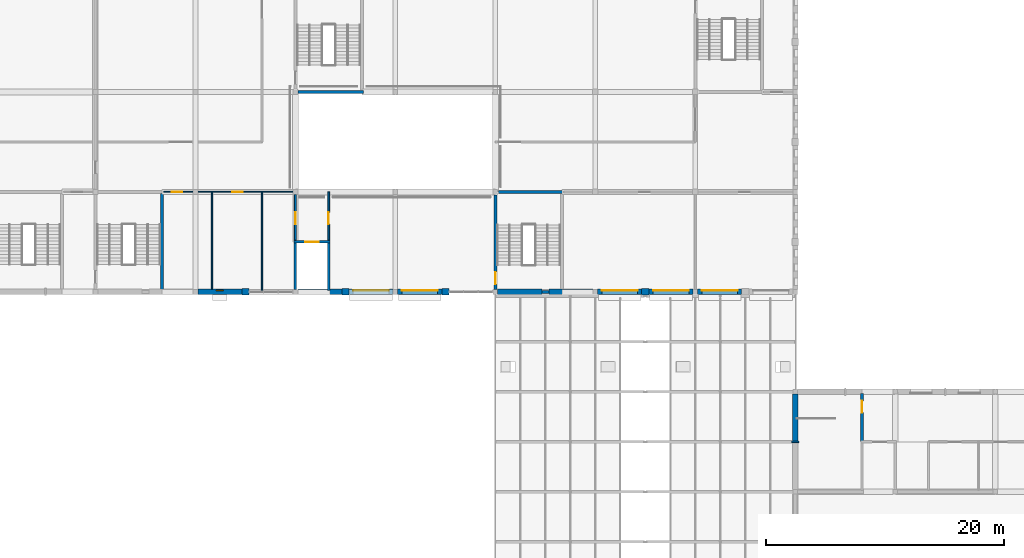
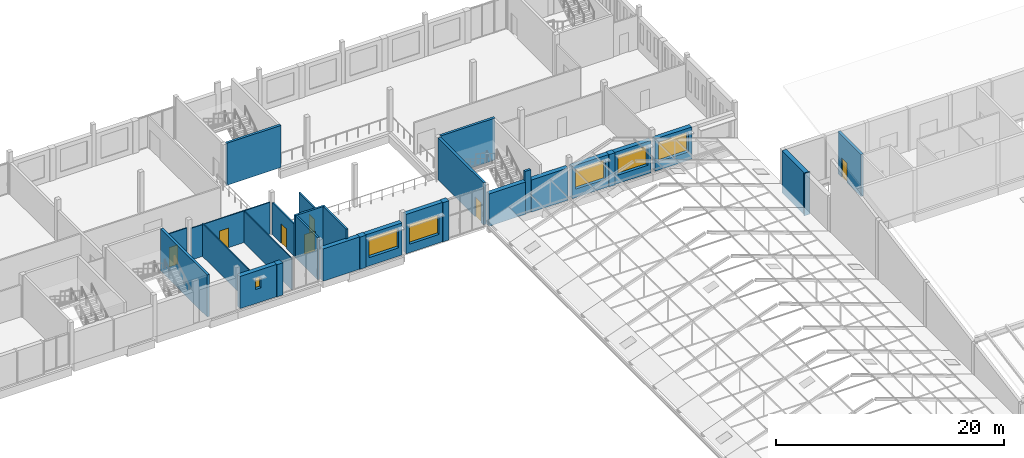
# One storey, part 100 of 116: 30 walls, 7 doors, 6 windows, 13 openings.
"""IFC4 building model written with IfcOpenShell, lengths in metres."""

from ifc_helpers import new_model, si_unit, direction, frame, frame_2d, origin, place, context, subcontext, project, spatial, rectangle, extrude, material, layer, layer_set, type_object, element, fill, save


model = new_model("IFC4")

# Units and contexts
model_context = context("Model", 3, precision=1e-05, world=origin(), true_north=direction((0.0, 1.0)))
body_context = subcontext(model_context, "Body", "Model", "MODEL_VIEW")
ifc_project = project(units=[si_unit("LENGTHUNIT", "METRE"), si_unit("AREAUNIT", "SQUARE_METRE"), si_unit("VOLUMEUNIT", "CUBIC_METRE"), si_unit("PLANEANGLEUNIT", "RADIAN"), si_unit("MASSUNIT", "GRAM", prefix="KILO")], contexts=[model_context])

# Site, building, storey
site_placement = place(None, origin())
site = spatial("IfcSite", under=ifc_project, at=site_placement, CompositionType="ELEMENT")
building_placement = place(site_placement, origin())
building = spatial("IfcBuilding", under=site, at=building_placement, Name="Fescue Hill Polytechnic", CompositionType="ELEMENT")
storey_placement = place(building_placement, frame((0.0, 0.0, 13.5)))
storey = spatial("IfcBuildingStorey", under=building, at=storey_placement, Name="L03", CompositionType="ELEMENT", Elevation=13.5)

# Walls
ifc_material_1 = material(Name="Clay brick masonry", Category="masonry")
ifc_layer_1 = layer(ifc_material_1, 0.550048828125)
ifc_layer_set_1 = layer_set([ifc_layer_1], Name="Clay brick masonry")
wall_type_1 = type_object("IfcWallType", Name="Brick pier 600x550", PredefinedType="SOLIDWALL", material=ifc_layer_set_1)
wall_1_placement = place(storey_placement, frame((71.10009765625, 109.199951171875, 0.0), z_axis=(0.0, 0.0, 1.0), x_axis=(1.0, 0.0, 0.0)))
element("IfcWall", 1, at=wall_1_placement, inside=storey, type_object=wall_type_1, Name="PR-L03-V4b-2", PredefinedType="SOLIDWALL", context=body_context, shape_type="SweptSolid", body=[
    extrude(rectangle(XDim=0.599853515625, YDim=0.550048828125, at=frame_2d((0.2998046875, 0.0))), origin(), (0.0, 0.0, 1.0), 3.449951171875),
])
wall_2_placement = place(storey_placement, frame((79.5, 109.199951171875, 0.0), z_axis=(0.0, 0.0, 1.0), x_axis=(1.0, 0.0, 0.0)))
element("IfcWall", 2, at=wall_2_placement, inside=storey, type_object=wall_type_1, Name="PR-L03-V4b-3", PredefinedType="SOLIDWALL", context=body_context, shape_type="SweptSolid", body=[
    extrude(rectangle(XDim=0.60009765625, YDim=0.550048828125, at=frame_2d((0.300048828125, 0.0))), origin(), (0.0, 0.0, 1.0), 3.449951171875),
])
wall_3_placement = place(storey_placement, frame((87.89990234375, 109.199951171875, 0.0), z_axis=(0.0, 0.0, 1.0), x_axis=(1.0, 0.0, 0.0)))
element("IfcWall", 3, at=wall_3_placement, inside=storey, type_object=wall_type_1, Name="PR-L03-V4b-4", PredefinedType="SOLIDWALL", context=body_context, shape_type="SweptSolid", body=[
    extrude(rectangle(XDim=0.60009765625, YDim=0.550048828125, at=frame_2d((0.300048828125, 0.0))), origin(), (0.0, 0.0, 1.0), 4.199951171875),
])
wall_4_placement = place(storey_placement, frame((104.699951171875, 109.199951171875, 0.0), z_axis=(0.0, 0.0, 1.0), x_axis=(1.0, 0.0, 0.0)))
element("IfcWall", 4, at=wall_4_placement, inside=storey, type_object=wall_type_1, Name="PR-L03-V4b-6", PredefinedType="SOLIDWALL", context=body_context, shape_type="SweptSolid", body=[
    extrude(rectangle(XDim=0.60009765625, YDim=0.550048828125, at=frame_2d((0.300048828125, 0.0))), origin(), (0.0, 0.0, 1.0), 3.449951171875),
])

# Wall, opening, door
ifc_material_2 = material(Name="Concrete 40 MPa", Category="concrete")
ifc_layer_2 = layer(ifc_material_2, 0.25)
ifc_layer_set_2 = layer_set([ifc_layer_2], Name="Concrete 40 MPa")
wall_type_2 = type_object("IfcWallType", Name="Core wall 250", PredefinedType="SHEAR", material=ifc_layer_set_2)
wall_5_placement = place(storey_placement, frame((123.199951171875, 96.610107421875, 0.0), z_axis=(0.0, 0.0, 1.0), x_axis=(0.0, 1.0, 0.0)))
wall_5 = element("IfcWall", 5, at=wall_5_placement, inside=storey, type_object=wall_type_2, Name="CW-L03-ST-V2-1-41", PredefinedType="SHEAR", context=body_context, shape_type="SweptSolid", body=[
    extrude(rectangle(XDim=4.06494140625, YDim=0.25, at=frame_2d((2.032470703125, 0.0))), origin(), (0.0, 0.0, 1.0), 4.5),
])
opening_1_placement = place(wall_5_placement, frame((2.43994140625, 0.0, 0.0)))
opening_1 = element("IfcOpeningElement", 6, at=opening_1_placement, cuts=wall_5, Name="Opening D3036", PredefinedType="OPENING", context=body_context, shape_type="SweptSolid", body=[
    extrude(rectangle(XDim=1.0, YDim=2.10009765625, at=frame_2d((0.5, 1.050048828125))), frame((0.0, 0.135009765625, 0.0), z_axis=(0.0, -1.0, 0.0), x_axis=(1.0, 0.0, 0.0)), (0.0, 0.0, 1.0), 0.27001953125),
])
ifc_material_3 = material(Name="Steel fire door", Category="steel")
door_type_1 = type_object("IfcDoorType", Name="Door single swing 1000x2100 stair fire rated", OperationType="NOTDEFINED", PredefinedType="DOOR", material=ifc_material_3)
door_1_placement = place(opening_1_placement, origin())
door_1 = element("IfcDoor", 7, at=door_1_placement, inside=storey, type_object=door_type_1, Name="L03 ST-V2-1 stair door", OperationType="SINGLE_SWING_RIGHT", OverallHeight=2.10009765625, OverallWidth=1.0, PredefinedType="DOOR", context=body_context, shape_type="SweptSolid", body=[
    extrude(rectangle(XDim=1.0, YDim=2.10009765625, at=frame_2d((0.5, 1.050048828125))), frame((0.0, 0.02490234375, 0.0), z_axis=(0.0, -1.0, 0.0), x_axis=(1.0, 0.0, 0.0)), (0.0, 0.0, 1.0), 0.050048828125),
])
fill(opening_1, door_1)

# Walls
wall_6_placement = place(storey_placement, frame((64.39990234375, 109.324951171875, 0.0), z_axis=(0.0, 0.0, 1.0), x_axis=(0.0, 1.0, 0.0)))
element("IfcWall", 8, at=wall_6_placement, inside=storey, type_object=wall_type_2, Name="CW-L03-ST-V4b-1-41", PredefinedType="SHEAR", context=body_context, shape_type="SweptSolid", body=[
    extrude(rectangle(XDim=8.150146484375, YDim=0.25, at=frame_2d((4.0751953125, 0.0))), origin(), (0.0, 0.0, 1.0), 4.5),
])
wall_7_placement = place(storey_placement, frame((92.64990234375, 117.60009765625, 0.0), z_axis=(0.0, 0.0, 1.0), x_axis=(1.0, 0.0, 0.0)))
element("IfcWall", 9, at=wall_7_placement, inside=storey, type_object=wall_type_2, Name="CW-L03-ST-V4b-3-21", PredefinedType="SHEAR", context=body_context, shape_type="SweptSolid", body=[
    extrude(rectangle(XDim=5.47509765625, YDim=0.25, at=frame_2d((2.737548828125, 0.0))), origin(), (0.0, 0.0, 1.0), 4.5),
])

# Wall, opening, door
wall_8_placement = place(storey_placement, frame((92.39990234375, 109.39990234375, 0.0), z_axis=(0.0, 0.0, 1.0), x_axis=(0.0, 1.0, 0.0)))
wall_8 = element("IfcWall", 10, at=wall_8_placement, inside=storey, type_object=wall_type_2, Name="CW-L03-ST-V4b-3-31", PredefinedType="SHEAR", context=body_context, shape_type="SweptSolid", body=[
    extrude(rectangle(XDim=7.9501953125, YDim=0.25, at=frame_2d((3.97509765625, 0.0))), origin(), (0.0, 0.0, 1.0), 4.5),
])
opening_2_placement = place(wall_8_placement, frame((0.449951171875, 0.0, 0.0)))
opening_2 = element("IfcOpeningElement", 11, at=opening_2_placement, cuts=wall_8, Name="Opening D3047", PredefinedType="OPENING", context=body_context, shape_type="SweptSolid", body=[
    extrude(rectangle(XDim=1.0, YDim=2.10009765625, at=frame_2d((0.5, 1.050048828125))), frame((0.0, 0.135009765625, 0.0), z_axis=(0.0, -1.0, 0.0), x_axis=(1.0, 0.0, 0.0)), (0.0, 0.0, 1.0), 0.27001953125),
])
door_2_placement = place(opening_2_placement, origin())
door_2 = element("IfcDoor", 12, at=door_2_placement, inside=storey, type_object=door_type_1, Name="L03 ST-V4b-3 stair door", OperationType="SINGLE_SWING_RIGHT", OverallHeight=2.10009765625, OverallWidth=1.0, PredefinedType="DOOR", context=body_context, shape_type="SweptSolid", body=[
    extrude(rectangle(XDim=1.0, YDim=2.10009765625, at=frame_2d((0.5, 1.050048828125))), frame((0.0, 0.02490234375, 0.0), z_axis=(0.0, -1.0, 0.0), x_axis=(1.0, 0.0, 0.0)), (0.0, 0.0, 1.0), 0.050048828125),
])
fill(opening_2, door_2)

# Walls
wall_9_placement = place(storey_placement, frame((75.824951171875, 126.0, 0.0), z_axis=(0.0, 0.0, 1.0), x_axis=(1.0, 0.0, 0.0)))
element("IfcWall", 13, at=wall_9_placement, inside=storey, type_object=wall_type_2, Name="CW-L03-ST-V4b-4-11", PredefinedType="SHEAR", context=body_context, shape_type="SweptSolid", body=[
    extrude(rectangle(XDim=5.5, YDim=0.25, at=frame_2d((2.75, 0.0))), origin(), (0.0, 0.0, 1.0), 4.5),
])
wall_10_placement = place(storey_placement, frame((96.300048828125, 109.199951171875, 0.0), z_axis=(0.0, 0.0, 1.0), x_axis=(1.0, 0.0, 0.0)))
element("IfcWall", 14, at=wall_10_placement, inside=storey, type_object=wall_type_2, Name="SCW-L03-ST-V4b-3-s1", PredefinedType="SHEAR", context=body_context, shape_type="SweptSolid", body=[
    extrude(rectangle(XDim=0.599853515625, YDim=0.25, at=frame_2d((0.2998046875, 0.0))), origin(), (0.0, 0.0, 1.0), 4.5),
])

# Wall, opening, window
ifc_layer_3 = layer(ifc_material_2, 0.449951171875)
ifc_layer_set_3 = layer_set([ifc_layer_3], Name="Concrete 40 MPa")
wall_type_3 = type_object("IfcWallType", Name="Exterior wall board-marked concrete 450", PredefinedType="SOLIDWALL", material=ifc_layer_set_3)
wall_11_placement = place(storey_placement, frame((67.39990234375, 109.199951171875, 0.0), z_axis=(0.0, 0.0, 1.0), x_axis=(1.0, 0.0, 0.0)))
wall_11 = element("IfcWall", 15, at=wall_11_placement, inside=storey, type_object=wall_type_3, Name="EW-L03-V4b-3", PredefinedType="SOLIDWALL", context=body_context, shape_type="SweptSolid", body=[
    extrude(rectangle(XDim=3.7001953125, YDim=0.449951171875, at=frame_2d((1.85009765625, 0.0))), origin(), (0.0, 0.0, 1.0), 3.449951171875),
])
opening_3_placement = place(wall_11_placement, frame((1.550048828125, 0.0, 1.5)))
opening_3 = element("IfcOpeningElement", 16, at=opening_3_placement, cuts=wall_11, Name="Opening W11", PredefinedType="OPENING", context=body_context, shape_type="SweptSolid", body=[
    extrude(rectangle(XDim=0.60009765625, YDim=1.199951171875, at=frame_2d((0.300048828125, 0.60009765625))), frame((0.0, 0.23486328125, 0.0), z_axis=(0.0, -1.0, 0.0), x_axis=(1.0, 0.0, 0.0)), (0.0, 0.0, 1.0), 0.469970703125),
])
ifc_material_4 = material(Name="Powder-coated aluminium and glass", Category="aluminium")
window_type_1 = type_object("IfcWindowType", Name="Window WC high-level 600x1200", PartitioningType="SINGLE_PANEL", PredefinedType="WINDOW", material=ifc_material_4)
window_1_placement = place(opening_3_placement, origin())
window_1 = element("IfcWindow", 17, at=window_1_placement, inside=storey, type_object=window_type_1, Name="WN-L03-V4b-1", OverallHeight=1.199951171875, OverallWidth=0.60009765625, PartitioningType="SINGLE_PANEL", PredefinedType="WINDOW", context=body_context, shape_type="SweptSolid", body=[
    extrude(rectangle(XDim=0.60009765625, YDim=1.199951171875, at=frame_2d((0.300048828125, 0.60009765625))), frame((0.0, 0.135009765625, 0.0), z_axis=(0.0, -1.0, 0.0), x_axis=(1.0, 0.0, 0.0)), (0.0, 0.0, 1.0), 0.06005859375),
])
fill(opening_3, window_1)

# Wall
wall_12_placement = place(storey_placement, frame((75.800048828125, 109.199951171875, 0.0), z_axis=(0.0, 0.0, 1.0), x_axis=(1.0, 0.0, 0.0)))
element("IfcWall", 18, at=wall_12_placement, inside=storey, type_object=wall_type_3, Name="EW-L03-V4b-5", PredefinedType="SOLIDWALL", context=body_context, shape_type="SweptSolid", body=[
    extrude(rectangle(XDim=3.699951171875, YDim=0.449951171875, at=frame_2d((1.85009765625, 0.0))), origin(), (0.0, 0.0, 1.0), 3.449951171875),
])

# Wall, opening, window
wall_13_placement = place(storey_placement, frame((80.10009765625, 109.199951171875, 0.0), z_axis=(0.0, 0.0, 1.0), x_axis=(1.0, 0.0, 0.0)))
wall_13 = element("IfcWall", 19, at=wall_13_placement, inside=storey, type_object=wall_type_3, Name="EW-L03-V4b-6", PredefinedType="SOLIDWALL", context=body_context, shape_type="SweptSolid", body=[
    extrude(rectangle(XDim=3.699951171875, YDim=0.449951171875, at=frame_2d((1.85009765625, 0.0))), origin(), (0.0, 0.0, 1.0), 3.449951171875),
])
opening_4_placement = place(wall_13_placement, frame((0.35009765625, 0.0, 0.89990234375)))
opening_4 = element("IfcOpeningElement", 20, at=opening_4_placement, cuts=wall_13, Name="Opening W5", PredefinedType="OPENING", context=body_context, shape_type="SweptSolid", body=[
    extrude(rectangle(XDim=3.0, YDim=2.10009765625, at=frame_2d((1.5, 1.050048828125))), frame((0.0, 0.23486328125, 0.0), z_axis=(0.0, -1.0, 0.0), x_axis=(1.0, 0.0, 0.0)), (0.0, 0.0, 1.0), 0.469970703125),
])
window_type_2 = type_object("IfcWindowType", Name="Window studio large 3000x2100", PartitioningType="SINGLE_PANEL", PredefinedType="WINDOW", material=ifc_material_4)
window_2_placement = place(opening_4_placement, origin())
window_2 = element("IfcWindow", 21, at=window_2_placement, inside=storey, type_object=window_type_2, Name="WN-L03-V4b-2", OverallHeight=2.10009765625, OverallWidth=3.0, PartitioningType="SINGLE_PANEL", PredefinedType="WINDOW", context=body_context, shape_type="SweptSolid", body=[
    extrude(rectangle(XDim=3.0, YDim=2.10009765625, at=frame_2d((1.5, 1.050048828125))), frame((0.0, 0.135009765625, 0.0), z_axis=(0.0, -1.0, 0.0), x_axis=(1.0, 0.0, 0.0)), (0.0, 0.0, 1.0), 0.06005859375),
])
fill(opening_4, window_2)

wall_14_placement = place(storey_placement, frame((84.199951171875, 109.199951171875, 0.0), z_axis=(0.0, 0.0, 1.0), x_axis=(1.0, 0.0, 0.0)))
wall_14 = element("IfcWall", 22, at=wall_14_placement, inside=storey, type_object=wall_type_3, Name="EW-L03-V4b-7", PredefinedType="SOLIDWALL", context=body_context, shape_type="SweptSolid", body=[
    extrude(rectangle(XDim=3.699951171875, YDim=0.449951171875, at=frame_2d((1.85009765625, 0.0))), origin(), (0.0, 0.0, 1.0), 4.199951171875),
])
opening_5_placement = place(wall_14_placement, frame((0.35009765625, 0.0, 0.89990234375)))
opening_5 = element("IfcOpeningElement", 23, at=opening_5_placement, cuts=wall_14, Name="Opening W5", PredefinedType="OPENING", context=body_context, shape_type="SweptSolid", body=[
    extrude(rectangle(XDim=3.0, YDim=2.10009765625, at=frame_2d((1.5, 1.050048828125))), frame((0.0, 0.23486328125, 0.0), z_axis=(0.0, -1.0, 0.0), x_axis=(1.0, 0.0, 0.0)), (0.0, 0.0, 1.0), 0.469970703125),
])
window_3_placement = place(opening_5_placement, origin())
window_3 = element("IfcWindow", 24, at=window_3_placement, inside=storey, type_object=window_type_2, Name="WN-L03-V4b-3", OverallHeight=2.10009765625, OverallWidth=3.0, PartitioningType="SINGLE_PANEL", PredefinedType="WINDOW", context=body_context, shape_type="SweptSolid", body=[
    extrude(rectangle(XDim=3.0, YDim=2.10009765625, at=frame_2d((1.5, 1.050048828125))), frame((0.0, 0.135009765625, 0.0), z_axis=(0.0, -1.0, 0.0), x_axis=(1.0, 0.0, 0.0)), (0.0, 0.0, 1.0), 0.06005859375),
])
fill(opening_5, window_3)

wall_15_placement = place(storey_placement, frame((101.0, 109.199951171875, 0.0), z_axis=(0.0, 0.0, 1.0), x_axis=(1.0, 0.0, 0.0)))
wall_15 = element("IfcWall", 25, at=wall_15_placement, inside=storey, type_object=wall_type_3, Name="EW-L03-V4b-11", PredefinedType="SOLIDWALL", context=body_context, shape_type="SweptSolid", body=[
    extrude(rectangle(XDim=3.699951171875, YDim=0.449951171875, at=frame_2d((1.85009765625, 0.0))), origin(), (0.0, 0.0, 1.0), 3.449951171875),
])
opening_6_placement = place(wall_15_placement, frame((0.35009765625, 0.0, 0.89990234375)))
opening_6 = element("IfcOpeningElement", 26, at=opening_6_placement, cuts=wall_15, Name="Opening W5", PredefinedType="OPENING", context=body_context, shape_type="SweptSolid", body=[
    extrude(rectangle(XDim=3.0, YDim=2.10009765625, at=frame_2d((1.5, 1.050048828125))), frame((0.0, 0.23486328125, 0.0), z_axis=(0.0, -1.0, 0.0), x_axis=(1.0, 0.0, 0.0)), (0.0, 0.0, 1.0), 0.469970703125),
])
window_4_placement = place(opening_6_placement, origin())
window_4 = element("IfcWindow", 27, at=window_4_placement, inside=storey, type_object=window_type_2, Name="WN-L03-V4b-4", OverallHeight=2.10009765625, OverallWidth=3.0, PartitioningType="SINGLE_PANEL", PredefinedType="WINDOW", context=body_context, shape_type="SweptSolid", body=[
    extrude(rectangle(XDim=3.0, YDim=2.10009765625, at=frame_2d((1.5, 1.050048828125))), frame((0.0, 0.135009765625, 0.0), z_axis=(0.0, -1.0, 0.0), x_axis=(1.0, 0.0, 0.0)), (0.0, 0.0, 1.0), 0.06005859375),
])
fill(opening_6, window_4)

wall_16_placement = place(storey_placement, frame((105.300048828125, 109.199951171875, 0.0), z_axis=(0.0, 0.0, 1.0), x_axis=(1.0, 0.0, 0.0)))
wall_16 = element("IfcWall", 28, at=wall_16_placement, inside=storey, type_object=wall_type_3, Name="EW-L03-V4b-12", PredefinedType="SOLIDWALL", context=body_context, shape_type="SweptSolid", body=[
    extrude(rectangle(XDim=3.699951171875, YDim=0.449951171875, at=frame_2d((1.85009765625, 0.0))), origin(), (0.0, 0.0, 1.0), 3.449951171875),
])
opening_7_placement = place(wall_16_placement, frame((0.35009765625, 0.0, 0.89990234375)))
opening_7 = element("IfcOpeningElement", 29, at=opening_7_placement, cuts=wall_16, Name="Opening W5", PredefinedType="OPENING", context=body_context, shape_type="SweptSolid", body=[
    extrude(rectangle(XDim=3.0, YDim=2.10009765625, at=frame_2d((1.5, 1.050048828125))), frame((0.0, 0.23486328125, 0.0), z_axis=(0.0, -1.0, 0.0), x_axis=(1.0, 0.0, 0.0)), (0.0, 0.0, 1.0), 0.469970703125),
])
window_5_placement = place(opening_7_placement, origin())
window_5 = element("IfcWindow", 30, at=window_5_placement, inside=storey, type_object=window_type_2, Name="WN-L03-V4b-5", OverallHeight=2.10009765625, OverallWidth=3.0, PartitioningType="SINGLE_PANEL", PredefinedType="WINDOW", context=body_context, shape_type="SweptSolid", body=[
    extrude(rectangle(XDim=3.0, YDim=2.10009765625, at=frame_2d((1.5, 1.050048828125))), frame((0.0, 0.135009765625, 0.0), z_axis=(0.0, -1.0, 0.0), x_axis=(1.0, 0.0, 0.0)), (0.0, 0.0, 1.0), 0.06005859375),
])
fill(opening_7, window_5)

wall_17_placement = place(storey_placement, frame((109.39990234375, 109.199951171875, 0.0), z_axis=(0.0, 0.0, 1.0), x_axis=(1.0, 0.0, 0.0)))
wall_17 = element("IfcWall", 31, at=wall_17_placement, inside=storey, type_object=wall_type_3, Name="EW-L03-V4b-13", PredefinedType="SOLIDWALL", context=body_context, shape_type="SweptSolid", body=[
    extrude(rectangle(XDim=3.7001953125, YDim=0.449951171875, at=frame_2d((1.85009765625, 0.0))), origin(), (0.0, 0.0, 1.0), 3.449951171875),
])
opening_8_placement = place(wall_17_placement, frame((0.35009765625, 0.0, 0.89990234375)))
opening_8 = element("IfcOpeningElement", 32, at=opening_8_placement, cuts=wall_17, Name="Opening W5", PredefinedType="OPENING", context=body_context, shape_type="SweptSolid", body=[
    extrude(rectangle(XDim=3.0, YDim=2.10009765625, at=frame_2d((1.5, 1.050048828125))), frame((0.0, 0.23486328125, 0.0), z_axis=(0.0, -1.0, 0.0), x_axis=(1.0, 0.0, 0.0)), (0.0, 0.0, 1.0), 0.469970703125),
])
window_6_placement = place(opening_8_placement, origin())
window_6 = element("IfcWindow", 33, at=window_6_placement, inside=storey, type_object=window_type_2, Name="WN-L03-V4b-6", OverallHeight=2.10009765625, OverallWidth=3.0, PartitioningType="SINGLE_PANEL", PredefinedType="WINDOW", context=body_context, shape_type="SweptSolid", body=[
    extrude(rectangle(XDim=3.0, YDim=2.10009765625, at=frame_2d((1.5, 1.050048828125))), frame((0.0, 0.135009765625, 0.0), z_axis=(0.0, -1.0, 0.0), x_axis=(1.0, 0.0, 0.0)), (0.0, 0.0, 1.0), 0.06005859375),
])
fill(opening_8, window_6)

# Walls
ifc_layer_4 = layer(ifc_material_2, 0.449951171875)
ifc_layer_set_4 = layer_set([ifc_layer_4], Name="Concrete 40 MPa")
wall_type_4 = type_object("IfcWallType", Name="Exterior wall board-marked concrete 450 load-bearing", PredefinedType="SOLIDWALL", material=ifc_layer_set_4)
wall_18_placement = place(storey_placement, frame((117.60009765625, 100.60009765625, 0.0), z_axis=(0.0, 0.0, 1.0), x_axis=(0.0, -1.0, 0.0)))
element("IfcWall", 34, at=wall_18_placement, inside=storey, type_object=wall_type_4, Name="EW-L03-V2-9", PredefinedType="SOLIDWALL", context=body_context, shape_type="SweptSolid", body=[
    extrude(rectangle(XDim=3.940185546875, YDim=0.449951171875, at=frame_2d((1.97021484375, 0.0))), origin(), (0.0, 0.0, 1.0), 4.5),
])
wall_19_placement = place(storey_placement, frame((92.60009765625, 109.199951171875, 0.0), z_axis=(0.0, 0.0, 1.0), x_axis=(1.0, 0.0, 0.0)))
element("IfcWall", 35, at=wall_19_placement, inside=storey, type_object=wall_type_4, Name="EW-L03-V4b-9", PredefinedType="SOLIDWALL", context=body_context, shape_type="SweptSolid", body=[
    extrude(rectangle(XDim=3.699951171875, YDim=0.449951171875, at=frame_2d((1.85009765625, 0.0))), origin(), (0.0, 0.0, 1.0), 3.449951171875),
])
wall_20_placement = place(storey_placement, frame((96.89990234375, 109.199951171875, 0.0), z_axis=(0.0, 0.0, 1.0), x_axis=(1.0, 0.0, 0.0)))
element("IfcWall", 36, at=wall_20_placement, inside=storey, type_object=wall_type_4, Name="EW-L03-V4b-10", PredefinedType="SOLIDWALL", context=body_context, shape_type="SweptSolid", body=[
    extrude(rectangle(XDim=3.7001953125, YDim=0.449951171875, at=frame_2d((1.85009765625, 0.0))), origin(), (0.0, 0.0, 1.0), 3.449951171875),
])

# Wall, opening, door
ifc_layer_5 = layer(ifc_material_2, 0.199951171875)
ifc_layer_set_5 = layer_set([ifc_layer_5], Name="Concrete 40 MPa")
wall_type_5 = type_object("IfcWallType", Name="Lift shaft wall 200", PredefinedType="SHEAR", material=ifc_layer_set_5)
wall_21_placement = place(storey_placement, frame((75.5, 113.39990234375, 0.0), z_axis=(0.0, 0.0, 1.0), x_axis=(1.0, 0.0, 0.0)))
wall_21 = element("IfcWall", 37, at=wall_21_placement, inside=storey, type_object=wall_type_5, Name="CW-L03-LF-V4b-1-21", PredefinedType="SHEAR", context=body_context, shape_type="SweptSolid", body=[
    extrude(rectangle(XDim=3.0, YDim=0.199951171875, at=frame_2d((1.5, 0.0))), origin(), (0.0, 0.0, 1.0), 4.5),
])
opening_9_placement = place(wall_21_placement, frame((0.949951171875, 0.0, 0.0)))
opening_9 = element("IfcOpeningElement", 38, at=opening_9_placement, cuts=wall_21, Name="Opening LD8-L03", PredefinedType="OPENING", context=body_context, shape_type="SweptSolid", body=[
    extrude(rectangle(XDim=1.10009765625, YDim=2.10009765625, at=frame_2d((0.550048828125, 1.050048828125))), frame((0.0, 0.10986328125, 0.0), z_axis=(0.0, -1.0, 0.0), x_axis=(1.0, 0.0, 0.0)), (0.0, 0.0, 1.0), 0.219970703125),
])
ifc_material_5 = material(Name="Stainless steel", Category="steel")
door_type_2 = type_object("IfcDoorType", Name="Lift landing door sliding 1100x2100", OperationType="SLIDING_TO_LEFT", PredefinedType="DOOR", material=ifc_material_5)
door_3_placement = place(opening_9_placement, origin())
door_3 = element("IfcDoor", 39, at=door_3_placement, inside=storey, type_object=door_type_2, Name="L03 LF-V4b-1 lift landing door", OperationType="SLIDING_TO_RIGHT", OverallHeight=2.10009765625, OverallWidth=1.10009765625, PredefinedType="DOOR", context=body_context, shape_type="SweptSolid", body=[
    extrude(rectangle(XDim=1.10009765625, YDim=2.10009765625, at=frame_2d((0.550048828125, 1.050048828125))), frame((0.0, 0.02490234375, 0.0), z_axis=(0.0, -1.0, 0.0), x_axis=(1.0, 0.0, 0.0)), (0.0, 0.0, 1.0), 0.050048828125),
])
fill(opening_9, door_3)

# Walls
wall_22_placement = place(storey_placement, frame((75.60009765625, 109.39990234375, 0.0), z_axis=(0.0, 0.0, 1.0), x_axis=(0.0, 1.0, 0.0)))
element("IfcWall", 40, at=wall_22_placement, inside=storey, type_object=wall_type_5, Name="CW-L03-LF-V4b-1-31", PredefinedType="SHEAR", context=body_context, shape_type="SweptSolid", body=[
    extrude(rectangle(XDim=3.900146484375, YDim=0.199951171875, at=frame_2d((1.9501953125, 0.0))), origin(), (0.0, 0.0, 1.0), 4.5),
])
wall_23_placement = place(storey_placement, frame((78.39990234375, 109.300048828125, 0.0), z_axis=(0.0, 0.0, 1.0), x_axis=(0.0, 1.0, 0.0)))
element("IfcWall", 41, at=wall_23_placement, inside=storey, type_object=wall_type_5, Name="CW-L03-LF-V4b-1-41", PredefinedType="SHEAR", context=body_context, shape_type="SweptSolid", body=[
    extrude(rectangle(XDim=4.0, YDim=0.199951171875, at=frame_2d((2.0, 0.0))), origin(), (0.0, 0.0, 1.0), 4.5),
])

# Wall, opening, door
ifc_material_6 = material(Name="Gypsum board partition")
ifc_layer_6 = layer(ifc_material_6, 0.14990234375)
ifc_layer_set_6 = layer_set([ifc_layer_6], Name="Gypsum board partition")
wall_type_6 = type_object("IfcWallType", Name="Lobby wall 150 EI 60", PredefinedType="PARTITIONING", material=ifc_layer_set_6)
wall_24_placement = place(storey_placement, frame((75.60009765625, 113.550048828125, 0.0), z_axis=(0.0, 0.0, 1.0), x_axis=(0.0, 1.0, 0.0)))
wall_24 = element("IfcWall", 42, at=wall_24_placement, inside=storey, type_object=wall_type_6, Name="IW-L03-057", PredefinedType="PARTITIONING", context=body_context, shape_type="SweptSolid", body=[
    extrude(rectangle(XDim=3.849853515625, YDim=0.14990234375, at=frame_2d((1.9248046875, 0.0))), origin(), (0.0, 0.0, 1.0), 3.39990234375),
])
opening_10_placement = place(wall_24_placement, frame((1.35009765625, 0.0, 0.0)))
opening_10 = element("IfcOpeningElement", 43, at=opening_10_placement, cuts=wall_24, Name="Opening D3028", PredefinedType="OPENING", context=body_context, shape_type="SweptSolid", body=[
    extrude(rectangle(XDim=1.0, YDim=2.10009765625, at=frame_2d((0.5, 1.050048828125))), frame((0.0, 0.0849609375, 0.0), z_axis=(0.0, -1.0, 0.0), x_axis=(1.0, 0.0, 0.0)), (0.0, 0.0, 1.0), 0.169921875),
])
ifc_material_7 = material(Name="Steel", Category="steel")
door_type_3 = type_object("IfcDoorType", Name="Door single swing 1000x2100 FD60", OperationType="SINGLE_SWING_LEFT", PredefinedType="DOOR", material=ifc_material_7)
door_4_placement = place(opening_10_placement, origin())
door_4 = element("IfcDoor", 44, at=door_4_placement, inside=storey, type_object=door_type_3, Name="Door D3028", OperationType="SINGLE_SWING_LEFT", OverallHeight=2.10009765625, OverallWidth=1.0, PredefinedType="DOOR", context=body_context, shape_type="SweptSolid", body=[
    extrude(rectangle(XDim=1.0, YDim=2.10009765625, at=frame_2d((0.5, 1.050048828125))), frame((0.0, 0.02490234375, 0.0), z_axis=(0.0, -1.0, 0.0), x_axis=(1.0, 0.0, 0.0)), (0.0, 0.0, 1.0), 0.050048828125),
])
fill(opening_10, door_4)

wall_25_placement = place(storey_placement, frame((78.39990234375, 113.550048828125, 0.0), z_axis=(0.0, 0.0, 1.0), x_axis=(0.0, 1.0, 0.0)))
wall_25 = element("IfcWall", 45, at=wall_25_placement, inside=storey, type_object=wall_type_6, Name="IW-L03-058", PredefinedType="PARTITIONING", context=body_context, shape_type="SweptSolid", body=[
    extrude(rectangle(XDim=4.050048828125, YDim=0.14990234375, at=frame_2d((2.02490234375, 0.0))), origin(), (0.0, 0.0, 1.0), 3.39990234375),
])
opening_11_placement = place(wall_25_placement, frame((1.35009765625, 0.0, 0.0)))
opening_11 = element("IfcOpeningElement", 46, at=opening_11_placement, cuts=wall_25, Name="Opening D3029", PredefinedType="OPENING", context=body_context, shape_type="SweptSolid", body=[
    extrude(rectangle(XDim=1.0, YDim=2.10009765625, at=frame_2d((0.5, 1.050048828125))), frame((0.0, 0.0849609375, 0.0), z_axis=(0.0, -1.0, 0.0), x_axis=(1.0, 0.0, 0.0)), (0.0, 0.0, 1.0), 0.169921875),
])
door_5_placement = place(opening_11_placement, origin())
door_5 = element("IfcDoor", 47, at=door_5_placement, inside=storey, type_object=door_type_3, Name="Door D3029", OperationType="SINGLE_SWING_LEFT", OverallHeight=2.10009765625, OverallWidth=1.0, PredefinedType="DOOR", context=body_context, shape_type="SweptSolid", body=[
    extrude(rectangle(XDim=1.0, YDim=2.10009765625, at=frame_2d((0.5, 1.050048828125))), frame((0.0, 0.02490234375, 0.0), z_axis=(0.0, -1.0, 0.0), x_axis=(1.0, 0.0, 0.0)), (0.0, 0.0, 1.0), 0.050048828125),
])
fill(opening_11, door_5)

# Wall
ifc_material_8 = material(Name="Glulam 24f-EX", Category="wood")
ifc_layer_7 = layer(ifc_material_8, 0.60009765625)
ifc_layer_set_7 = layer_set([ifc_layer_7], Name="Glulam 24f-EX")
wall_type_7 = type_object("IfcWallType", Name="Timber fin 120x600", PredefinedType="SOLIDWALL", material=ifc_layer_set_7)
wall_26_placement = place(storey_placement, frame((117.60009765625, 96.659912109375, 0.0), z_axis=(0.0, 0.0, 1.0), x_axis=(0.0, -1.0, 0.0)))
element("IfcWall", 48, at=wall_26_placement, inside=storey, type_object=wall_type_7, Name="PR-L03-V2-5", PredefinedType="SOLIDWALL", context=body_context, shape_type="SweptSolid", body=[
    extrude(rectangle(XDim=0.119873046875, YDim=0.60009765625, at=frame_2d((0.06005859375, 0.0))), origin(), (0.0, 0.0, 1.0), 4.5),
])

# Wall, opening, door
ifc_layer_8 = layer(ifc_material_6, 0.10009765625)
ifc_layer_set_8 = layer_set([ifc_layer_8], Name="Gypsum board partition")
wall_type_8 = type_object("IfcWallType", Name="WC partition 100 moisture resistant", PredefinedType="PARTITIONING", material=ifc_layer_set_8)
wall_27_placement = place(storey_placement, frame((64.550048828125, 117.60009765625, 0.0), z_axis=(0.0, 0.0, 1.0), x_axis=(1.0, 0.0, 0.0)))
wall_27 = element("IfcWall", 49, at=wall_27_placement, inside=storey, type_object=wall_type_8, Name="IW-L03-029", PredefinedType="PARTITIONING", context=body_context, shape_type="SweptSolid", body=[
    extrude(rectangle(XDim=2.449951171875, YDim=0.10009765625, at=frame_2d((1.22509765625, 0.0))), origin(), (0.0, 0.0, 1.0), 3.60009765625),
])
opening_12_placement = place(wall_27_placement, frame((0.64990234375, 0.0, 0.0)))
opening_12 = element("IfcOpeningElement", 50, at=opening_12_placement, cuts=wall_27, Name="Opening D3026", PredefinedType="OPENING", context=body_context, shape_type="SweptSolid", body=[
    extrude(rectangle(XDim=0.89990234375, YDim=2.10009765625, at=frame_2d((0.449951171875, 1.050048828125))), frame((0.0, 0.06005859375, 0.0), z_axis=(0.0, -1.0, 0.0), x_axis=(1.0, 0.0, 0.0)), (0.0, 0.0, 1.0), 0.1201171875),
])
ifc_material_9 = material(Name="Timber", Category="wood")
door_type_4 = type_object("IfcDoorType", Name="Door single swing 900x2100 WC", OperationType="SINGLE_SWING_LEFT", PredefinedType="DOOR", material=ifc_material_9)
door_6_placement = place(opening_12_placement, origin())
door_6 = element("IfcDoor", 51, at=door_6_placement, inside=storey, type_object=door_type_4, Name="Door D3026", OperationType="SINGLE_SWING_LEFT", OverallHeight=2.10009765625, OverallWidth=0.89990234375, PredefinedType="DOOR", context=body_context, shape_type="SweptSolid", body=[
    extrude(rectangle(XDim=0.89990234375, YDim=2.10009765625, at=frame_2d((0.449951171875, 1.050048828125))), frame((0.0, 0.02490234375, 0.0), z_axis=(0.0, -1.0, 0.0), x_axis=(1.0, 0.0, 0.0)), (0.0, 0.0, 1.0), 0.050048828125),
])
fill(opening_12, door_6)

wall_28_placement = place(storey_placement, frame((67.39990234375, 117.60009765625, 0.0), z_axis=(0.0, 0.0, 1.0), x_axis=(1.0, 0.0, 0.0)))
wall_28 = element("IfcWall", 52, at=wall_28_placement, inside=storey, type_object=wall_type_8, Name="IW-L03-030", PredefinedType="PARTITIONING", context=body_context, shape_type="SweptSolid", body=[
    extrude(rectangle(XDim=8.0, YDim=0.10009765625, at=frame_2d((4.0, 0.0))), origin(), (0.0, 0.0, 1.0), 3.39990234375),
])
opening_13_placement = place(wall_28_placement, frame((2.89990234375, 0.0, 0.0)))
opening_13 = element("IfcOpeningElement", 53, at=opening_13_placement, cuts=wall_28, Name="Opening D3027", PredefinedType="OPENING", context=body_context, shape_type="SweptSolid", body=[
    extrude(rectangle(XDim=0.89990234375, YDim=2.10009765625, at=frame_2d((0.449951171875, 1.050048828125))), frame((0.0, 0.06005859375, 0.0), z_axis=(0.0, -1.0, 0.0), x_axis=(1.0, 0.0, 0.0)), (0.0, 0.0, 1.0), 0.1201171875),
])
door_7_placement = place(opening_13_placement, origin())
door_7 = element("IfcDoor", 54, at=door_7_placement, inside=storey, type_object=door_type_4, Name="Door D3027", OperationType="SINGLE_SWING_LEFT", OverallHeight=2.10009765625, OverallWidth=0.89990234375, PredefinedType="DOOR", context=body_context, shape_type="SweptSolid", body=[
    extrude(rectangle(XDim=0.89990234375, YDim=2.10009765625, at=frame_2d((0.449951171875, 1.050048828125))), frame((0.0, 0.02490234375, 0.0), z_axis=(0.0, -1.0, 0.0), x_axis=(1.0, 0.0, 0.0)), (0.0, 0.0, 1.0), 0.050048828125),
])
fill(opening_13, door_7)

# Walls
wall_29_placement = place(storey_placement, frame((68.60009765625, 109.425048828125, 0.0), z_axis=(0.0, 0.0, 1.0), x_axis=(0.0, 1.0, 0.0)))
element("IfcWall", 55, at=wall_29_placement, inside=storey, type_object=wall_type_8, Name="IW-L03-054", PredefinedType="PARTITIONING", context=body_context, shape_type="SweptSolid", body=[
    extrude(rectangle(XDim=8.175048828125, YDim=0.10009765625, at=frame_2d((4.08740234375, 0.0))), origin(), (0.0, 0.0, 1.0), 3.5),
])
wall_30_placement = place(storey_placement, frame((72.800048828125, 109.199951171875, 0.0), z_axis=(0.0, 0.0, 1.0), x_axis=(0.0, 1.0, 0.0)))
element("IfcWall", 56, at=wall_30_placement, inside=storey, type_object=wall_type_8, Name="IW-L03-056", PredefinedType="PARTITIONING", context=body_context, shape_type="SweptSolid", body=[
    extrude(rectangle(XDim=8.400146484375, YDim=0.10009765625, at=frame_2d((4.2001953125, 0.0))), origin(), (0.0, 0.0, 1.0), 3.3701171875),
])

save(model, "model.ifc")
